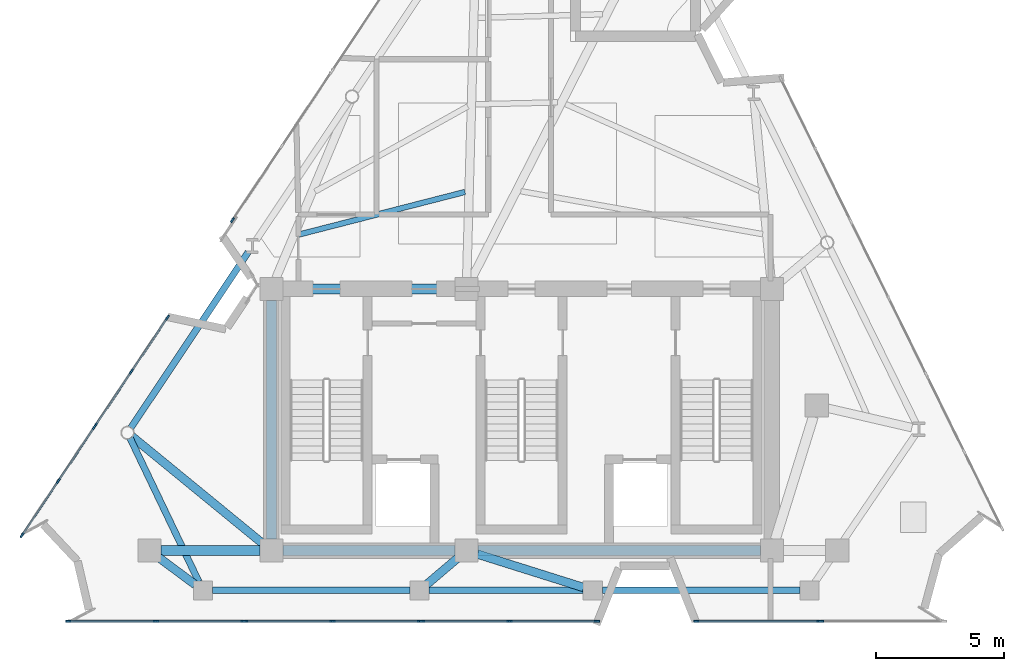
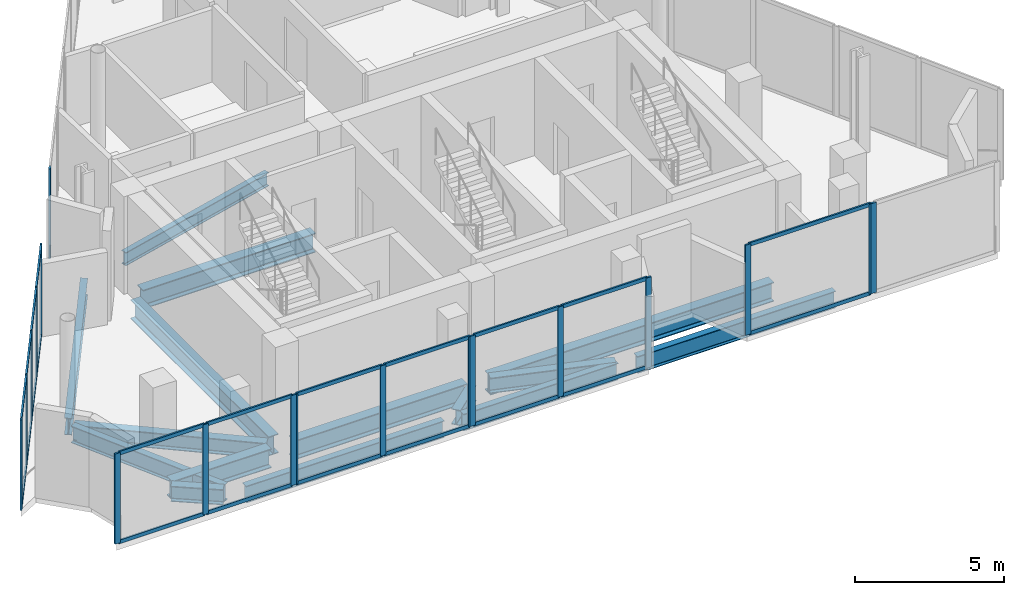
# One storey, part 2 of 9: 41 members, 15 beams, 8 elements without a shape of their own.
"""IFC4 building model written with IfcOpenShell, lengths in metres."""

from ifc_helpers import new_model, si_unit, direction, frame, origin, origin_2d, place, context, subcontext, project, spatial, rectangle, i_section, extrude, material, layer, layer_set, material_profile, profile_set, type_object, element, aggregate, save


model = new_model("IFC4")

# Units and contexts
model_context = context("Model", 3, precision=1e-05, world=origin(), true_north=direction((0.0, 1.0)))
body_context = subcontext(model_context, "Body", "Model", "MODEL_VIEW")
ifc_project = project(units=[si_unit("LENGTHUNIT", "METRE"), si_unit("AREAUNIT", "SQUARE_METRE"), si_unit("VOLUMEUNIT", "CUBIC_METRE"), si_unit("PLANEANGLEUNIT", "RADIAN"), si_unit("MASSUNIT", "GRAM", prefix="KILO")], contexts=[model_context])

# Site, building, storey
site_placement = place(None, origin())
site = spatial("IfcSite", under=ifc_project, at=site_placement, CompositionType="ELEMENT")
building_placement = place(site_placement, origin())
building = spatial("IfcBuilding", under=site, at=building_placement, Name="Almagre Mirador Tower", CompositionType="ELEMENT")
storey_placement = place(building_placement, frame((0.0, 0.0, 306.5)))
storey = spatial("IfcBuildingStorey", under=building, at=storey_placement, Name="L79", CompositionType="ELEMENT", Elevation=306.5)

# Beams
ifc_material_1 = material(Name="Steel ASTM A992 Grade 50", Category="steel")
ifc_material_profile_1 = material_profile(ifc_material_1, i_section(OverallWidth=0.214111328125, OverallDepth=0.549072265625, WebThickness=0.0146484375, FlangeThickness=0.023681640625, FilletRadius=0.01806640625, at=origin_2d()), Name="W21X93")
ifc_profile_set_1 = profile_set([ifc_material_profile_1], Name="Steel ASTM A992 Grade 50")
beam_type_1 = type_object("IfcBeamType", Name="BM-JST-W21X93", PredefinedType="JOIST", material=ifc_profile_set_1)
beam_1_placement = place(storey_placement, frame((35.093994140625, 18.52880859375, -0.574462890625), z_axis=(-0.968636779061, -0.248480965571, 0.0), x_axis=(0.248480965571, -0.968636779061, 0.0)))
element("IfcBeam", 1, at=beam_1_placement, inside=storey, type_object=beam_type_1, Name="L79 secondary floor joist PC09-PC10.3", PredefinedType="JOIST", context=body_context, shape_type="SweptSolid", body=[
    extrude(i_section(OverallWidth=0.214111328125, OverallDepth=0.549072265625, WebThickness=0.0146484375, FlangeThickness=0.023681640625, FilletRadius=0.01806640625, at=origin_2d()), origin(), (0.0, 0.0, 1.0), 6.729248046875),
])
ifc_material_2 = material(Name="Steel ASTM A992 Grade 50", Category="steel")
ifc_material_profile_2 = material_profile(ifc_material_2, i_section(OverallWidth=0.256103515625, OverallDepth=0.693115234375, WebThickness=0.014404296875, FlangeThickness=0.023681640625, FilletRadius=0.02197265625, at=origin_2d()), Name="W27X114")
ifc_profile_set_2 = profile_set([ifc_material_profile_2], Name="Steel ASTM A992 Grade 50")
beam_type_2 = type_object("IfcBeamType", Name="BM-SPN-W27X114", PredefinedType="SPANDREL", material=ifc_profile_set_2)
beam_2_placement = place(storey_placement, frame((25.259033203125, 3.0, -0.646484375), z_axis=(1.0, 0.0, 0.0), x_axis=(0.0, 1.0, 0.0)))
element("IfcBeam", 2, at=beam_2_placement, inside=storey, type_object=beam_type_2, Name="L79 perimeter spandrel beam PC01-PC02", PredefinedType="SPANDREL", context=body_context, shape_type="SweptSolid", body=[
    extrude(i_section(OverallWidth=0.256103515625, OverallDepth=0.693115234375, WebThickness=0.014404296875, FlangeThickness=0.023681640625, FilletRadius=0.02197265625, at=origin_2d()), origin(), (0.0, 0.0, 1.0), 7.68994140625),
])
beam_3_placement = place(storey_placement, frame((33.698974609375, 3.0, -0.646484375), z_axis=(1.0, 0.0, 0.0), x_axis=(0.0, 1.0, 0.0)))
element("IfcBeam", 3, at=beam_3_placement, inside=storey, type_object=beam_type_2, Name="L79 perimeter spandrel beam PC02-PC03", PredefinedType="SPANDREL", context=body_context, shape_type="SweptSolid", body=[
    extrude(i_section(OverallWidth=0.256103515625, OverallDepth=0.693115234375, WebThickness=0.014404296875, FlangeThickness=0.023681640625, FilletRadius=0.02197265625, at=origin_2d()), origin(), (0.0, 0.0, 1.0), 6.001953125),
])
beam_4_placement = place(storey_placement, frame((40.450927734375, 3.0, -0.646484375), z_axis=(1.0, 0.0, 0.0), x_axis=(0.0, 1.0, 0.0)))
element("IfcBeam", 4, at=beam_4_placement, inside=storey, type_object=beam_type_2, Name="L79 perimeter spandrel beam PC03-PC04", PredefinedType="SPANDREL", context=body_context, shape_type="SweptSolid", body=[
    extrude(i_section(OverallWidth=0.256103515625, OverallDepth=0.693115234375, WebThickness=0.014404296875, FlangeThickness=0.023681640625, FilletRadius=0.02197265625, at=origin_2d()), origin(), (0.0, 0.0, 1.0), 7.690185546875),
])
beam_5_placement = place(storey_placement, frame((26.645751953125, 16.18505859375, -0.646484375), z_axis=(-0.555219210279, -0.831704051052, 0.0), x_axis=(0.831704051052, -0.555219210279, 0.0)))
element("IfcBeam", 5, at=beam_5_placement, inside=storey, type_object=beam_type_2, Name="L79 perimeter spandrel beam PC11-PC12", PredefinedType="SPANDREL", context=body_context, shape_type="SweptSolid", body=[
    extrude(i_section(OverallWidth=0.256103515625, OverallDepth=0.693115234375, WebThickness=0.014404296875, FlangeThickness=0.023681640625, FilletRadius=0.02197265625, at=origin_2d()), origin(), (0.0, 0.0, 1.0), 8.248291015625),
])
beam_6_placement = place(storey_placement, frame((22.0390625, 8.943603515625, -0.646484375), z_axis=(0.431747396031, -0.901994559862, 0.0), x_axis=(0.901994559862, 0.431747396031, 0.0)))
element("IfcBeam", 6, at=beam_6_placement, inside=storey, type_object=beam_type_2, Name="L79 perimeter spandrel beam PC12-PC01", PredefinedType="SPANDREL", context=body_context, shape_type="SweptSolid", body=[
    extrude(i_section(OverallWidth=0.256103515625, OverallDepth=0.693115234375, WebThickness=0.014404296875, FlangeThickness=0.023681640625, FilletRadius=0.02197265625, at=origin_2d()), origin(), (0.0, 0.0, 1.0), 6.214599609375),
])
ifc_material_3 = material(Name="Steel ASTM A992 Grade 50", Category="steel")
ifc_material_profile_3 = material_profile(ifc_material_3, i_section(OverallWidth=0.330078125, OverallDepth=0.635009765625, WebThickness=0.017822265625, FlangeThickness=0.031005859375, FilletRadius=0.02001953125, at=origin_2d()), Name="W24X162")
ifc_profile_set_3 = profile_set([ifc_material_profile_3], Name="Steel ASTM A992 Grade 50")
beam_type_3 = type_object("IfcBeamType", Name="BM-STL-W24X162", PredefinedType="BEAM", material=ifc_profile_set_3)
beam_7_placement = place(storey_placement, frame((24.5830078125, 3.223876953125, -0.617431640625), z_axis=(-0.802374373866, 0.596821048693, 0.0), x_axis=(-0.596821048693, -0.802374373866, 0.0)))
element("IfcBeam", 7, at=beam_7_placement, inside=storey, type_object=beam_type_3, Name="L79 radial floor girder PC01-MC1", PredefinedType="BEAM", context=body_context, shape_type="SweptSolid", body=[
    extrude(i_section(OverallWidth=0.330078125, OverallDepth=0.635009765625, WebThickness=0.017822265625, FlangeThickness=0.031005859375, FilletRadius=0.02001953125, at=origin_2d()), origin(), (0.0, 0.0, 1.0), 1.77197265625),
])
beam_8_placement = place(storey_placement, frame((33.60986328125, 3.24267578125, -0.617431640625), z_axis=(0.76236500019, 0.647147283457, 0.0), x_axis=(-0.647147283457, 0.76236500019, 0.0)))
element("IfcBeam", 8, at=beam_8_placement, inside=storey, type_object=beam_type_3, Name="L79 radial floor girder PC02-CC2", PredefinedType="BEAM", context=body_context, shape_type="SweptSolid", body=[
    extrude(i_section(OverallWidth=0.330078125, OverallDepth=0.635009765625, WebThickness=0.017822265625, FlangeThickness=0.031005859375, FilletRadius=0.02001953125, at=origin_2d()), origin(), (0.0, 0.0, 1.0), 1.570068359375),
])
beam_9_placement = place(storey_placement, frame((39.71826171875, 3.112548828125, -0.617431640625), z_axis=(-0.953898482719, 0.300129446518, 0.0), x_axis=(-0.300129446518, -0.953898482719, 0.0)))
element("IfcBeam", 9, at=beam_9_placement, inside=storey, type_object=beam_type_3, Name="L79 radial floor girder PC03-CC2", PredefinedType="BEAM", context=body_context, shape_type="SweptSolid", body=[
    extrude(i_section(OverallWidth=0.330078125, OverallDepth=0.635009765625, WebThickness=0.017822265625, FlangeThickness=0.031005859375, FilletRadius=0.02001953125, at=origin_2d()), origin(), (0.0, 0.0, 1.0), 4.3388671875),
])
beam_10_placement = place(storey_placement, frame((22.1142578125, 9.002685546875, -0.617431640625), z_axis=(0.773594952934, -0.633680399567, 0.0), x_axis=(0.633680399567, 0.773594952934, 0.0)))
element("IfcBeam", 10, at=beam_10_placement, inside=storey, type_object=beam_type_3, Name="L79 radial floor girder PC12-CC1", PredefinedType="BEAM", context=body_context, shape_type="SweptSolid", body=[
    extrude(i_section(OverallWidth=0.330078125, OverallDepth=0.635009765625, WebThickness=0.017822265625, FlangeThickness=0.031005859375, FilletRadius=0.02001953125, at=origin_2d()), origin(), (0.0, 0.0, 1.0), 6.57666015625),
])
ifc_material_4 = material(Name="Steel ASTM A992 Grade 50", Category="steel")
ifc_material_profile_4 = material_profile(ifc_material_4, i_section(OverallWidth=0.384033203125, OverallDepth=0.784912109375, WebThickness=0.019775390625, FlangeThickness=0.033447265625, FilletRadius=0.02392578125, at=origin_2d()), Name="W30X211")
ifc_profile_set_4 = profile_set([ifc_material_profile_4], Name="Steel ASTM A992 Grade 50")
beam_type_4 = type_object("IfcBeamType", Name="BM-STL-W30X211", PredefinedType="BEAM", material=ifc_profile_set_4)
beam_11_placement = place(storey_placement, frame((28.0, 4.550048828125, -0.6923828125), z_axis=(1.0, 0.0, 0.0), x_axis=(0.0, 1.0, 0.0)))
element("IfcBeam", 11, at=beam_11_placement, inside=storey, type_object=beam_type_4, Name="L79 core tie girder CC1-CC2", PredefinedType="BEAM", context=body_context, shape_type="SweptSolid", body=[
    extrude(i_section(OverallWidth=0.384033203125, OverallDepth=0.784912109375, WebThickness=0.019775390625, FlangeThickness=0.033447265625, FilletRadius=0.02392578125, at=origin_2d()), origin(), (0.0, 0.0, 1.0), 6.699951171875),
])
beam_12_placement = place(storey_placement, frame((35.60009765625, 4.550048828125, -0.6923828125), z_axis=(1.0, 0.0, 0.0), x_axis=(0.0, 1.0, 0.0)))
element("IfcBeam", 12, at=beam_12_placement, inside=storey, type_object=beam_type_4, Name="L79 core tie girder CC2-CC3", PredefinedType="BEAM", context=body_context, shape_type="SweptSolid", body=[
    extrude(i_section(OverallWidth=0.384033203125, OverallDepth=0.784912109375, WebThickness=0.019775390625, FlangeThickness=0.033447265625, FilletRadius=0.02392578125, at=origin_2d()), origin(), (0.0, 0.0, 1.0), 11.0),
])
beam_13_placement = place(storey_placement, frame((28.0, 14.75, -0.6923828125), z_axis=(1.0, 0.0, 0.0), x_axis=(0.0, 1.0, 0.0)))
element("IfcBeam", 13, at=beam_13_placement, inside=storey, type_object=beam_type_4, Name="L79 core tie girder CC4-CC5", PredefinedType="BEAM", context=body_context, shape_type="SweptSolid", body=[
    extrude(i_section(OverallWidth=0.384033203125, OverallDepth=0.784912109375, WebThickness=0.019775390625, FlangeThickness=0.033447265625, FilletRadius=0.02392578125, at=origin_2d()), origin(), (0.0, 0.0, 1.0), 6.699951171875),
])
beam_14_placement = place(storey_placement, frame((27.550048828125, 5.0, -0.6923828125), z_axis=(0.0, 1.0, 0.0), x_axis=(-1.0, 0.0, 0.0)))
element("IfcBeam", 14, at=beam_14_placement, inside=storey, type_object=beam_type_4, Name="L79 core tie girder CC1-CC4", PredefinedType="BEAM", context=body_context, shape_type="SweptSolid", body=[
    extrude(i_section(OverallWidth=0.384033203125, OverallDepth=0.784912109375, WebThickness=0.019775390625, FlangeThickness=0.033447265625, FilletRadius=0.02392578125, at=origin_2d()), origin(), (0.0, 0.0, 1.0), 9.300048828125),
])
beam_15_placement = place(storey_placement, frame((23.25, 4.550048828125, -0.6923828125), z_axis=(1.0, 0.0, 0.0), x_axis=(0.0, 1.0, 0.0)))
element("IfcBeam", 15, at=beam_15_placement, inside=storey, type_object=beam_type_4, Name="L79 core tie girder MC1-CC1", PredefinedType="BEAM", context=body_context, shape_type="SweptSolid", body=[
    extrude(i_section(OverallWidth=0.384033203125, OverallDepth=0.784912109375, WebThickness=0.019775390625, FlangeThickness=0.033447265625, FilletRadius=0.02392578125, at=origin_2d()), origin(), (0.0, 0.0, 1.0), 3.85009765625),
])

# Curtain wall, members
ifc_material_5 = material(Name="Black anodized aluminium", Category="aluminium")
ifc_layer = layer(ifc_material_5, 0.2099609375)
ifc_layer_set = layer_set([ifc_layer], Name="Black anodized aluminium")
curtain_wall_type = type_object("IfcCurtainWallType", Name="CW-CRN-SYS", PredefinedType="NOTDEFINED", material=ifc_layer_set)
curtain_wall_1_placement = place(storey_placement, origin())
curtain_wall_1 = element("IfcCurtainWall", 16, at=curtain_wall_1_placement, inside=storey, type_object=curtain_wall_type, Name="L79 curtain wall run 01", PredefinedType="NOTDEFINED")
ifc_material_6 = material(Name="Black anodized aluminium", Category="aluminium")
ifc_material_profile_5 = material_profile(ifc_material_6, rectangle(XDim=0.070068359375, YDim=0.2099609375, at=origin_2d()), Name="CWM70X210")
ifc_profile_set_5 = profile_set([ifc_material_profile_5], Name="Black anodized aluminium")
member_type_1 = type_object("IfcMemberType", Name="MBR-CWM70X210", PredefinedType="MULLION", material=ifc_profile_set_5)
member_1_placement = place(storey_placement, frame((17.840576171875, 5.15625, 0.0), z_axis=(0.0, 0.0, 1.0), x_axis=(-0.831672217709, 0.555266892846, 0.0)))
member_1 = element("IfcMember", 17, at=member_1_placement, type_object=member_type_1, Name="CW-6 mullion 1", PredefinedType="MULLION", context=body_context, shape_type="SweptSolid", body=[
    extrude(rectangle(XDim=0.070068359375, YDim=0.2099609375, at=origin_2d()), origin(), (0.0, 0.0, 1.0), 3.699951171875),
])
member_2_placement = place(storey_placement, frame((19.245361328125, 7.26025390625, 0.0), z_axis=(0.0, 0.0, 1.0), x_axis=(-0.831672217709, 0.555266892846, 0.0)))
member_2 = element("IfcMember", 18, at=member_2_placement, type_object=member_type_1, Name="CW-6 mullion 2", PredefinedType="MULLION", context=body_context, shape_type="SweptSolid", body=[
    extrude(rectangle(XDim=0.070068359375, YDim=0.2099609375, at=origin_2d()), origin(), (0.0, 0.0, 1.0), 3.699951171875),
])
member_3_placement = place(storey_placement, frame((20.650146484375, 9.364501953125, 0.0), z_axis=(0.0, 0.0, 1.0), x_axis=(-0.831672217709, 0.555266892846, 0.0)))
member_3 = element("IfcMember", 19, at=member_3_placement, type_object=member_type_1, Name="CW-6 mullion 3", PredefinedType="MULLION", context=body_context, shape_type="SweptSolid", body=[
    extrude(rectangle(XDim=0.070068359375, YDim=0.2099609375, at=origin_2d()), origin(), (0.0, 0.0, 1.0), 3.699951171875),
])

curtain_wall_2_placement = place(storey_placement, origin())
curtain_wall_2 = element("IfcCurtainWall", 20, at=curtain_wall_2_placement, inside=storey, type_object=curtain_wall_type, Name="L79 curtain wall run 02", PredefinedType="NOTDEFINED")
member_4_placement = place(storey_placement, frame((20.68896484375, 9.422607421875, 0.0), z_axis=(0.0, 0.0, 1.0), x_axis=(-0.831672217709, 0.555266892846, 0.0)))
member_4 = element("IfcMember", 21, at=member_4_placement, type_object=member_type_1, Name="CW-6 mullion 1", PredefinedType="MULLION", context=body_context, shape_type="SweptSolid", body=[
    extrude(rectangle(XDim=0.070068359375, YDim=0.2099609375, at=origin_2d()), origin(), (0.0, 0.0, 1.0), 3.699951171875),
])
member_5_placement = place(storey_placement, frame((22.09375, 11.526611328125, 0.0), z_axis=(0.0, 0.0, 1.0), x_axis=(-0.831672217709, 0.555266892846, 0.0)))
member_5 = element("IfcMember", 22, at=member_5_placement, type_object=member_type_1, Name="CW-6 mullion 2", PredefinedType="MULLION", context=body_context, shape_type="SweptSolid", body=[
    extrude(rectangle(XDim=0.070068359375, YDim=0.2099609375, at=origin_2d()), origin(), (0.0, 0.0, 1.0), 3.699951171875),
])
member_6_placement = place(storey_placement, frame((23.49853515625, 13.630615234375, 0.0), z_axis=(0.0, 0.0, 1.0), x_axis=(-0.831672217709, 0.555266892846, 0.0)))
member_6 = element("IfcMember", 23, at=member_6_placement, type_object=member_type_1, Name="CW-6 mullion 3", PredefinedType="MULLION", context=body_context, shape_type="SweptSolid", body=[
    extrude(rectangle(XDim=0.070068359375, YDim=0.2099609375, at=origin_2d()), origin(), (0.0, 0.0, 1.0), 3.699951171875),
])

# Curtain wall, member
curtain_wall_3_placement = place(storey_placement, origin())
curtain_wall_3 = element("IfcCurtainWall", 24, at=curtain_wall_3_placement, inside=storey, type_object=curtain_wall_type, Name="L79 curtain wall run 03", PredefinedType="NOTDEFINED")
member_7_placement = place(storey_placement, frame((26.033935546875, 17.42919921875, 0.0), z_axis=(0.0, 0.0, 1.0), x_axis=(-0.831705218561, 0.555217461378, 0.0)))
member_7 = element("IfcMember", 25, at=member_7_placement, type_object=member_type_1, Name="CW-6 mullion 1", PredefinedType="MULLION", context=body_context, shape_type="SweptSolid", body=[
    extrude(rectangle(XDim=0.070068359375, YDim=0.2099609375, at=origin_2d()), origin(), (0.0, 0.0, 1.0), 3.699951171875),
])
aggregate(curtain_wall_3, [member_7])

curtain_wall_4_placement = place(storey_placement, origin())
curtain_wall_4 = element("IfcCurtainWall", 26, at=curtain_wall_4_placement, inside=storey, type_object=curtain_wall_type, Name="L79 curtain wall run 11", PredefinedType="NOTDEFINED")
member_8_placement = place(storey_placement, frame((48.970947265625, 1.800048828125, 0.0), z_axis=(0.0, 0.0, 1.0), x_axis=(0.0, -1.0, 0.0)))
member_8 = element("IfcMember", 27, at=member_8_placement, type_object=member_type_1, Name="CW-6 mullion 2", PredefinedType="MULLION", context=body_context, shape_type="SweptSolid", body=[
    extrude(rectangle(XDim=0.070068359375, YDim=0.2099609375, at=origin_2d()), origin(), (0.0, 0.0, 1.0), 3.699951171875),
])
aggregate(curtain_wall_4, [member_8])

# Curtain wall, members
curtain_wall_5_placement = place(storey_placement, origin())
curtain_wall_5 = element("IfcCurtainWall", 28, at=curtain_wall_5_placement, inside=storey, type_object=curtain_wall_type, Name="L79 curtain wall run 12", PredefinedType="NOTDEFINED")
member_9_placement = place(storey_placement, frame((48.90087890625, 1.800048828125, 0.0), z_axis=(0.0, 0.0, 1.0), x_axis=(0.0, -1.0, 0.0)))
member_9 = element("IfcMember", 29, at=member_9_placement, type_object=member_type_1, Name="CW-6 mullion 1", PredefinedType="MULLION", context=body_context, shape_type="SweptSolid", body=[
    extrude(rectangle(XDim=0.070068359375, YDim=0.2099609375, at=origin_2d()), origin(), (0.0, 0.0, 1.0), 3.699951171875),
])
member_10_placement = place(storey_placement, frame((44.107177734375, 1.800048828125, 0.0), z_axis=(0.0, 0.0, 1.0), x_axis=(0.0, -1.0, 0.0)))
member_10 = element("IfcMember", 30, at=member_10_placement, type_object=member_type_1, Name="CW-6 mullion 2", PredefinedType="MULLION", context=body_context, shape_type="SweptSolid", body=[
    extrude(rectangle(XDim=0.070068359375, YDim=0.2099609375, at=origin_2d()), origin(), (0.0, 0.0, 1.0), 3.699951171875),
])

curtain_wall_6_placement = place(storey_placement, origin())
curtain_wall_6 = element("IfcCurtainWall", 31, at=curtain_wall_6_placement, inside=storey, type_object=curtain_wall_type, Name="L79 curtain wall run 13", PredefinedType="NOTDEFINED")
member_11_placement = place(storey_placement, frame((40.23681640625, 1.800048828125, 0.0), z_axis=(0.0, 0.0, 1.0), x_axis=(0.0, -1.0, 0.0)))
member_11 = element("IfcMember", 32, at=member_11_placement, type_object=member_type_1, Name="CW-6 mullion 1", PredefinedType="MULLION", context=body_context, shape_type="SweptSolid", body=[
    extrude(rectangle(XDim=0.070068359375, YDim=0.2099609375, at=origin_2d()), origin(), (0.0, 0.0, 1.0), 3.699951171875),
])
member_12_placement = place(storey_placement, frame((36.826416015625, 1.800048828125, 0.0), z_axis=(0.0, 0.0, 1.0), x_axis=(0.0, -1.0, 0.0)))
member_12 = element("IfcMember", 33, at=member_12_placement, type_object=member_type_1, Name="CW-6 mullion 2", PredefinedType="MULLION", context=body_context, shape_type="SweptSolid", body=[
    extrude(rectangle(XDim=0.070068359375, YDim=0.2099609375, at=origin_2d()), origin(), (0.0, 0.0, 1.0), 3.699951171875),
])
member_13_placement = place(storey_placement, frame((33.416259765625, 1.800048828125, 0.0), z_axis=(0.0, 0.0, 1.0), x_axis=(0.0, -1.0, 0.0)))
member_13 = element("IfcMember", 34, at=member_13_placement, type_object=member_type_1, Name="CW-6 mullion 3", PredefinedType="MULLION", context=body_context, shape_type="SweptSolid", body=[
    extrude(rectangle(XDim=0.070068359375, YDim=0.2099609375, at=origin_2d()), origin(), (0.0, 0.0, 1.0), 3.699951171875),
])

curtain_wall_7_placement = place(storey_placement, origin())
curtain_wall_7 = element("IfcCurtainWall", 35, at=curtain_wall_7_placement, inside=storey, type_object=curtain_wall_type, Name="L79 curtain wall run 14", PredefinedType="NOTDEFINED")
member_14_placement = place(storey_placement, frame((33.34619140625, 1.800048828125, 0.0), z_axis=(0.0, 0.0, 1.0), x_axis=(0.0, -1.0, 0.0)))
member_14 = element("IfcMember", 36, at=member_14_placement, type_object=member_type_1, Name="CW-6 mullion 1", PredefinedType="MULLION", context=body_context, shape_type="SweptSolid", body=[
    extrude(rectangle(XDim=0.070068359375, YDim=0.2099609375, at=origin_2d()), origin(), (0.0, 0.0, 1.0), 3.699951171875),
])
member_15_placement = place(storey_placement, frame((29.93603515625, 1.800048828125, 0.0), z_axis=(0.0, 0.0, 1.0), x_axis=(0.0, -1.0, 0.0)))
member_15 = element("IfcMember", 37, at=member_15_placement, type_object=member_type_1, Name="CW-6 mullion 2", PredefinedType="MULLION", context=body_context, shape_type="SweptSolid", body=[
    extrude(rectangle(XDim=0.070068359375, YDim=0.2099609375, at=origin_2d()), origin(), (0.0, 0.0, 1.0), 3.699951171875),
])
member_16_placement = place(storey_placement, frame((26.525634765625, 1.800048828125, 0.0), z_axis=(0.0, 0.0, 1.0), x_axis=(0.0, -1.0, 0.0)))
member_16 = element("IfcMember", 38, at=member_16_placement, type_object=member_type_1, Name="CW-6 mullion 3", PredefinedType="MULLION", context=body_context, shape_type="SweptSolid", body=[
    extrude(rectangle(XDim=0.070068359375, YDim=0.2099609375, at=origin_2d()), origin(), (0.0, 0.0, 1.0), 3.699951171875),
])

curtain_wall_8_placement = place(storey_placement, origin())
curtain_wall_8 = element("IfcCurtainWall", 39, at=curtain_wall_8_placement, inside=storey, type_object=curtain_wall_type, Name="L79 curtain wall run 15", PredefinedType="NOTDEFINED")
member_17_placement = place(storey_placement, frame((26.455810546875, 1.800048828125, 0.0), z_axis=(0.0, 0.0, 1.0), x_axis=(0.0, -1.0, 0.0)))
member_17 = element("IfcMember", 40, at=member_17_placement, type_object=member_type_1, Name="CW-6 mullion 1", PredefinedType="MULLION", context=body_context, shape_type="SweptSolid", body=[
    extrude(rectangle(XDim=0.070068359375, YDim=0.2099609375, at=origin_2d()), origin(), (0.0, 0.0, 1.0), 3.699951171875),
])
member_18_placement = place(storey_placement, frame((23.04541015625, 1.800048828125, 0.0), z_axis=(0.0, 0.0, 1.0), x_axis=(0.0, -1.0, 0.0)))
member_18 = element("IfcMember", 41, at=member_18_placement, type_object=member_type_1, Name="CW-6 mullion 2", PredefinedType="MULLION", context=body_context, shape_type="SweptSolid", body=[
    extrude(rectangle(XDim=0.070068359375, YDim=0.2099609375, at=origin_2d()), origin(), (0.0, 0.0, 1.0), 3.699951171875),
])
member_19_placement = place(storey_placement, frame((19.63525390625, 1.800048828125, 0.0), z_axis=(0.0, 0.0, 1.0), x_axis=(0.0, -1.0, 0.0)))
member_19 = element("IfcMember", 42, at=member_19_placement, type_object=member_type_1, Name="CW-6 mullion 3", PredefinedType="MULLION", context=body_context, shape_type="SweptSolid", body=[
    extrude(rectangle(XDim=0.070068359375, YDim=0.2099609375, at=origin_2d()), origin(), (0.0, 0.0, 1.0), 3.699951171875),
])

# Member
ifc_material_7 = material(Name="Black anodized aluminium", Category="aluminium")
ifc_material_profile_6 = material_profile(ifc_material_7, rectangle(XDim=0.06494140625, YDim=0.14990234375, at=origin_2d()), Name="CWT65X150")
ifc_profile_set_6 = profile_set([ifc_material_profile_6], Name="Black anodized aluminium")
member_type_2 = type_object("IfcMemberType", Name="MBR-CWT65X150", PredefinedType="USERDEFINED", material=ifc_profile_set_6)
member_20_placement = place(storey_placement, frame((17.85986328125, 5.185302734375, 0.032470703125), z_axis=(0.555272628955, 0.831668387961, 0.0), x_axis=(-0.831668387961, 0.555272628955, 0.0)))
member_20 = element("IfcMember", 43, at=member_20_placement, type_object=member_type_2, Name="CW-6 transom 1.1", ObjectType="TRANSOM", PredefinedType="USERDEFINED", context=body_context, shape_type="SweptSolid", body=[
    extrude(rectangle(XDim=0.06494140625, YDim=0.14990234375, at=origin_2d()), origin(), (0.0, 0.0, 1.0), 2.4599609375),
])

member_21_placement = place(storey_placement, frame((17.85986328125, 5.185302734375, 3.66748046875), z_axis=(0.555272628955, 0.831668387961, 0.0), x_axis=(-0.831668387961, 0.555272628955, 0.0)))
member_21 = element("IfcMember", 44, at=member_21_placement, type_object=member_type_2, Name="CW-6 transom 1.2", ObjectType="TRANSOM", PredefinedType="USERDEFINED", context=body_context, shape_type="SweptSolid", body=[
    extrude(rectangle(XDim=0.06494140625, YDim=0.14990234375, at=origin_2d()), origin(), (0.0, 0.0, 1.0), 2.4599609375),
])

member_22_placement = place(storey_placement, frame((19.2646484375, 7.28955078125, 0.032470703125), z_axis=(0.555318463243, 0.831637784364, 0.0), x_axis=(-0.831637784364, 0.555318463243, 0.0)))
member_22 = element("IfcMember", 45, at=member_22_placement, type_object=member_type_2, Name="CW-6 transom 2.1", ObjectType="TRANSOM", PredefinedType="USERDEFINED", context=body_context, shape_type="SweptSolid", body=[
    extrude(rectangle(XDim=0.06494140625, YDim=0.14990234375, at=origin_2d()), origin(), (0.0, 0.0, 1.0), 2.459716796875),
])

member_23_placement = place(storey_placement, frame((19.2646484375, 7.28955078125, 3.66748046875), z_axis=(0.555318463243, 0.831637784364, 0.0), x_axis=(-0.831637784364, 0.555318463243, 0.0)))
member_23 = element("IfcMember", 46, at=member_23_placement, type_object=member_type_2, Name="CW-6 transom 2.2", ObjectType="TRANSOM", PredefinedType="USERDEFINED", context=body_context, shape_type="SweptSolid", body=[
    extrude(rectangle(XDim=0.06494140625, YDim=0.14990234375, at=origin_2d()), origin(), (0.0, 0.0, 1.0), 2.459716796875),
])

aggregate(curtain_wall_1, [member_1, member_2, member_3, member_20, member_21, member_22, member_23])

member_24_placement = place(storey_placement, frame((20.708251953125, 9.45166015625, 0.032470703125), z_axis=(0.555272628955, 0.831668387961, 0.0), x_axis=(-0.831668387961, 0.555272628955, 0.0)))
member_24 = element("IfcMember", 47, at=member_24_placement, type_object=member_type_2, Name="CW-6 transom 1.1", ObjectType="TRANSOM", PredefinedType="USERDEFINED", context=body_context, shape_type="SweptSolid", body=[
    extrude(rectangle(XDim=0.06494140625, YDim=0.14990234375, at=origin_2d()), origin(), (0.0, 0.0, 1.0), 2.4599609375),
])

member_25_placement = place(storey_placement, frame((20.708251953125, 9.45166015625, 3.66748046875), z_axis=(0.555272628955, 0.831668387961, 0.0), x_axis=(-0.831668387961, 0.555272628955, 0.0)))
member_25 = element("IfcMember", 48, at=member_25_placement, type_object=member_type_2, Name="CW-6 transom 1.2", ObjectType="TRANSOM", PredefinedType="USERDEFINED", context=body_context, shape_type="SweptSolid", body=[
    extrude(rectangle(XDim=0.06494140625, YDim=0.14990234375, at=origin_2d()), origin(), (0.0, 0.0, 1.0), 2.4599609375),
])

member_26_placement = place(storey_placement, frame((22.113037109375, 11.5556640625, 0.032470703125), z_axis=(0.555272628955, 0.831668387961, 0.0), x_axis=(-0.831668387961, 0.555272628955, 0.0)))
member_26 = element("IfcMember", 49, at=member_26_placement, type_object=member_type_2, Name="CW-6 transom 2.1", ObjectType="TRANSOM", PredefinedType="USERDEFINED", context=body_context, shape_type="SweptSolid", body=[
    extrude(rectangle(XDim=0.06494140625, YDim=0.14990234375, at=origin_2d()), origin(), (0.0, 0.0, 1.0), 2.4599609375),
])

member_27_placement = place(storey_placement, frame((22.113037109375, 11.5556640625, 3.66748046875), z_axis=(0.555272628955, 0.831668387961, 0.0), x_axis=(-0.831668387961, 0.555272628955, 0.0)))
member_27 = element("IfcMember", 50, at=member_27_placement, type_object=member_type_2, Name="CW-6 transom 2.2", ObjectType="TRANSOM", PredefinedType="USERDEFINED", context=body_context, shape_type="SweptSolid", body=[
    extrude(rectangle(XDim=0.06494140625, YDim=0.14990234375, at=origin_2d()), origin(), (0.0, 0.0, 1.0), 2.4599609375),
])

aggregate(curtain_wall_2, [member_4, member_5, member_6, member_24, member_25, member_26, member_27])

member_28_placement = place(storey_placement, frame((48.865966796875, 1.800048828125, 0.032470703125), z_axis=(-1.0, 0.0, 0.0), x_axis=(0.0, -1.0, 0.0)))
member_28 = element("IfcMember", 51, at=member_28_placement, type_object=member_type_2, Name="CW-6 transom 1.1", ObjectType="TRANSOM", PredefinedType="USERDEFINED", context=body_context, shape_type="SweptSolid", body=[
    extrude(rectangle(XDim=0.06494140625, YDim=0.14990234375, at=origin_2d()), origin(), (0.0, 0.0, 1.0), 4.723876953125),
])

member_29_placement = place(storey_placement, frame((48.865966796875, 1.800048828125, 3.66748046875), z_axis=(-1.0, 0.0, 0.0), x_axis=(0.0, -1.0, 0.0)))
member_29 = element("IfcMember", 52, at=member_29_placement, type_object=member_type_2, Name="CW-6 transom 1.2", ObjectType="TRANSOM", PredefinedType="USERDEFINED", context=body_context, shape_type="SweptSolid", body=[
    extrude(rectangle(XDim=0.06494140625, YDim=0.14990234375, at=origin_2d()), origin(), (0.0, 0.0, 1.0), 4.723876953125),
])

aggregate(curtain_wall_5, [member_9, member_10, member_28, member_29])

member_30_placement = place(storey_placement, frame((40.201904296875, 1.800048828125, 0.032470703125), z_axis=(-1.0, 0.0, 0.0), x_axis=(0.0, -1.0, 0.0)))
member_30 = element("IfcMember", 53, at=member_30_placement, type_object=member_type_2, Name="CW-6 transom 1.1", ObjectType="TRANSOM", PredefinedType="USERDEFINED", context=body_context, shape_type="SweptSolid", body=[
    extrude(rectangle(XDim=0.06494140625, YDim=0.14990234375, at=origin_2d()), origin(), (0.0, 0.0, 1.0), 3.34033203125),
])

member_31_placement = place(storey_placement, frame((40.201904296875, 1.800048828125, 3.66748046875), z_axis=(-1.0, 0.0, 0.0), x_axis=(0.0, -1.0, 0.0)))
member_31 = element("IfcMember", 54, at=member_31_placement, type_object=member_type_2, Name="CW-6 transom 1.2", ObjectType="TRANSOM", PredefinedType="USERDEFINED", context=body_context, shape_type="SweptSolid", body=[
    extrude(rectangle(XDim=0.06494140625, YDim=0.14990234375, at=origin_2d()), origin(), (0.0, 0.0, 1.0), 3.34033203125),
])

member_32_placement = place(storey_placement, frame((36.79150390625, 1.800048828125, 0.032470703125), z_axis=(-1.0, 0.0, 0.0), x_axis=(0.0, -1.0, 0.0)))
member_32 = element("IfcMember", 55, at=member_32_placement, type_object=member_type_2, Name="CW-6 transom 2.1", ObjectType="TRANSOM", PredefinedType="USERDEFINED", context=body_context, shape_type="SweptSolid", body=[
    extrude(rectangle(XDim=0.06494140625, YDim=0.14990234375, at=origin_2d()), origin(), (0.0, 0.0, 1.0), 3.34033203125),
])

member_33_placement = place(storey_placement, frame((36.79150390625, 1.800048828125, 3.66748046875), z_axis=(-1.0, 0.0, 0.0), x_axis=(0.0, -1.0, 0.0)))
member_33 = element("IfcMember", 56, at=member_33_placement, type_object=member_type_2, Name="CW-6 transom 2.2", ObjectType="TRANSOM", PredefinedType="USERDEFINED", context=body_context, shape_type="SweptSolid", body=[
    extrude(rectangle(XDim=0.06494140625, YDim=0.14990234375, at=origin_2d()), origin(), (0.0, 0.0, 1.0), 3.34033203125),
])

aggregate(curtain_wall_6, [member_11, member_12, member_13, member_30, member_31, member_32, member_33])

member_34_placement = place(storey_placement, frame((33.311279296875, 1.800048828125, 0.032470703125), z_axis=(-1.0, 0.0, 0.0), x_axis=(0.0, -1.0, 0.0)))
member_34 = element("IfcMember", 57, at=member_34_placement, type_object=member_type_2, Name="CW-6 transom 1.1", ObjectType="TRANSOM", PredefinedType="USERDEFINED", context=body_context, shape_type="SweptSolid", body=[
    extrude(rectangle(XDim=0.06494140625, YDim=0.14990234375, at=origin_2d()), origin(), (0.0, 0.0, 1.0), 3.34033203125),
])

member_35_placement = place(storey_placement, frame((33.311279296875, 1.800048828125, 3.66748046875), z_axis=(-1.0, 0.0, 0.0), x_axis=(0.0, -1.0, 0.0)))
member_35 = element("IfcMember", 58, at=member_35_placement, type_object=member_type_2, Name="CW-6 transom 1.2", ObjectType="TRANSOM", PredefinedType="USERDEFINED", context=body_context, shape_type="SweptSolid", body=[
    extrude(rectangle(XDim=0.06494140625, YDim=0.14990234375, at=origin_2d()), origin(), (0.0, 0.0, 1.0), 3.34033203125),
])

member_36_placement = place(storey_placement, frame((29.90087890625, 1.800048828125, 0.032470703125), z_axis=(-1.0, 0.0, 0.0), x_axis=(0.0, -1.0, 0.0)))
member_36 = element("IfcMember", 59, at=member_36_placement, type_object=member_type_2, Name="CW-6 transom 2.1", ObjectType="TRANSOM", PredefinedType="USERDEFINED", context=body_context, shape_type="SweptSolid", body=[
    extrude(rectangle(XDim=0.06494140625, YDim=0.14990234375, at=origin_2d()), origin(), (0.0, 0.0, 1.0), 3.340087890625),
])

member_37_placement = place(storey_placement, frame((29.90087890625, 1.800048828125, 3.66748046875), z_axis=(-1.0, 0.0, 0.0), x_axis=(0.0, -1.0, 0.0)))
member_37 = element("IfcMember", 60, at=member_37_placement, type_object=member_type_2, Name="CW-6 transom 2.2", ObjectType="TRANSOM", PredefinedType="USERDEFINED", context=body_context, shape_type="SweptSolid", body=[
    extrude(rectangle(XDim=0.06494140625, YDim=0.14990234375, at=origin_2d()), origin(), (0.0, 0.0, 1.0), 3.340087890625),
])

aggregate(curtain_wall_7, [member_14, member_15, member_16, member_34, member_35, member_36, member_37])

member_38_placement = place(storey_placement, frame((26.420654296875, 1.800048828125, 0.032470703125), z_axis=(-1.0, 0.0, 0.0), x_axis=(0.0, -1.0, 0.0)))
member_38 = element("IfcMember", 61, at=member_38_placement, type_object=member_type_2, Name="CW-6 transom 1.1", ObjectType="TRANSOM", PredefinedType="USERDEFINED", context=body_context, shape_type="SweptSolid", body=[
    extrude(rectangle(XDim=0.06494140625, YDim=0.14990234375, at=origin_2d()), origin(), (0.0, 0.0, 1.0), 3.340087890625),
])

member_39_placement = place(storey_placement, frame((26.420654296875, 1.800048828125, 3.66748046875), z_axis=(-1.0, 0.0, 0.0), x_axis=(0.0, -1.0, 0.0)))
member_39 = element("IfcMember", 62, at=member_39_placement, type_object=member_type_2, Name="CW-6 transom 1.2", ObjectType="TRANSOM", PredefinedType="USERDEFINED", context=body_context, shape_type="SweptSolid", body=[
    extrude(rectangle(XDim=0.06494140625, YDim=0.14990234375, at=origin_2d()), origin(), (0.0, 0.0, 1.0), 3.340087890625),
])

member_40_placement = place(storey_placement, frame((23.010498046875, 1.800048828125, 0.032470703125), z_axis=(-1.0, 0.0, 0.0), x_axis=(0.0, -1.0, 0.0)))
member_40 = element("IfcMember", 63, at=member_40_placement, type_object=member_type_2, Name="CW-6 transom 2.1", ObjectType="TRANSOM", PredefinedType="USERDEFINED", context=body_context, shape_type="SweptSolid", body=[
    extrude(rectangle(XDim=0.06494140625, YDim=0.14990234375, at=origin_2d()), origin(), (0.0, 0.0, 1.0), 3.34033203125),
])

member_41_placement = place(storey_placement, frame((23.010498046875, 1.800048828125, 3.66748046875), z_axis=(-1.0, 0.0, 0.0), x_axis=(0.0, -1.0, 0.0)))
member_41 = element("IfcMember", 64, at=member_41_placement, type_object=member_type_2, Name="CW-6 transom 2.2", ObjectType="TRANSOM", PredefinedType="USERDEFINED", context=body_context, shape_type="SweptSolid", body=[
    extrude(rectangle(XDim=0.06494140625, YDim=0.14990234375, at=origin_2d()), origin(), (0.0, 0.0, 1.0), 3.34033203125),
])

aggregate(curtain_wall_8, [member_17, member_18, member_19, member_38, member_39, member_40, member_41])

save(model, "model.ifc")
